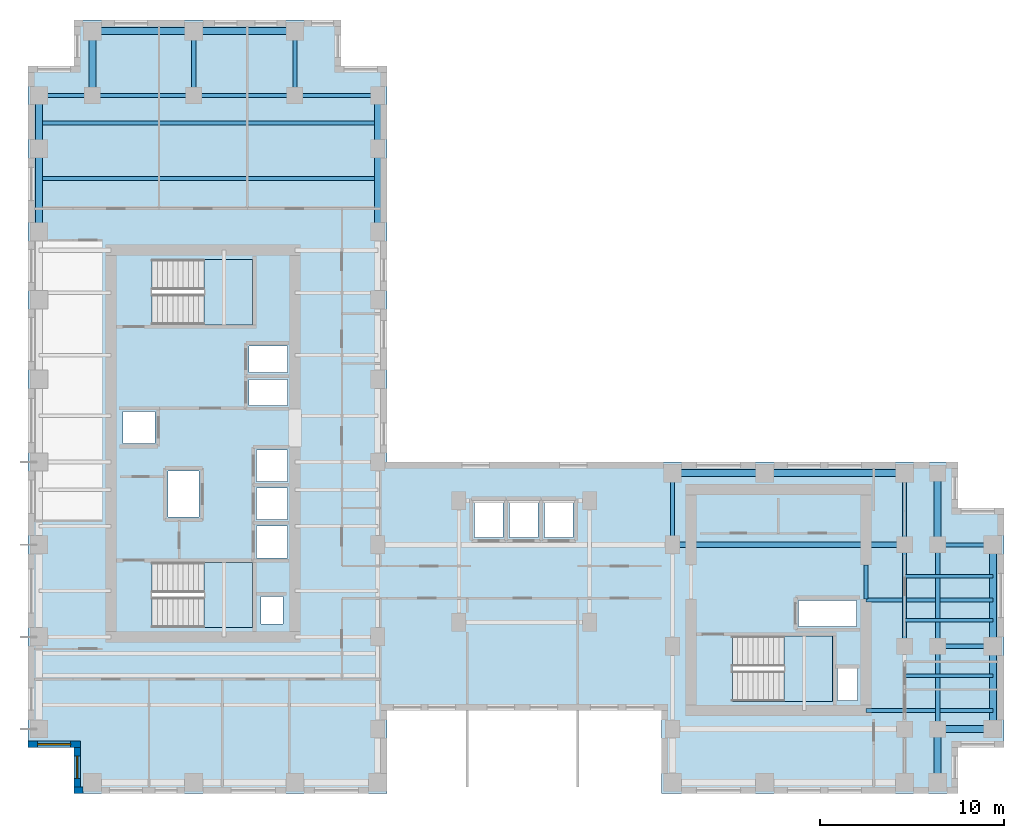
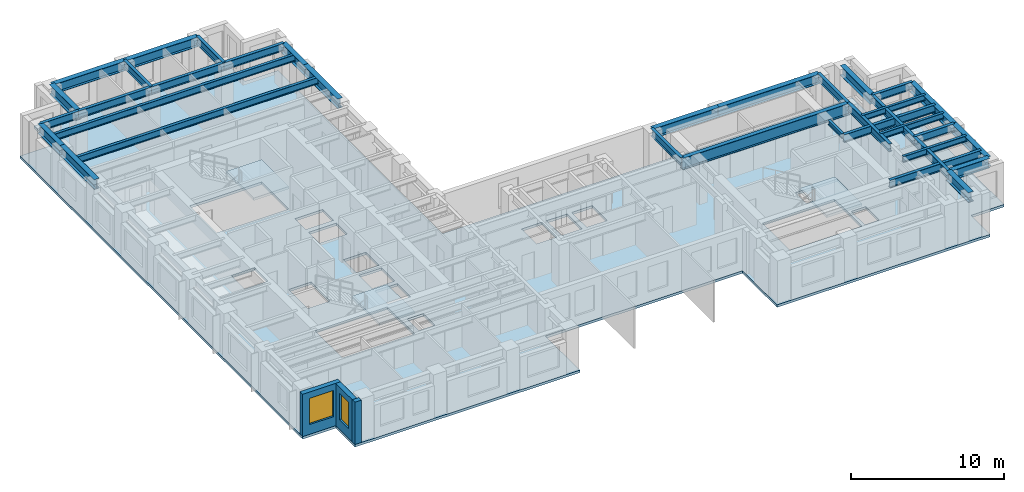
# One storey, part 2 of 11: 36 beams, 4 slabs, 3 walls, 2 windows, 2 openings, 3 elements without a shape of their own.
"""IFC4 building model written with IfcOpenShell, lengths in metres."""

from ifc_helpers import new_model, si_unit, direction, frame, frame_2d, origin, origin_2d, place, context, subcontext, project, spatial, polyline, rectangle, i_section, outline, extrude, source, transform, mapped, material, layer, layer_set, material_profile, profile_set, type_object, element, fill, aggregate, save


model = new_model("IFC4")

# Units and contexts
model_context = context("Model", 3, precision=1e-05, world=origin(), true_north=direction((0.0, 1.0)))
body_context = subcontext(model_context, "Body", "Model", "MODEL_VIEW")
ifc_project = project(units=[si_unit("LENGTHUNIT", "METRE"), si_unit("AREAUNIT", "SQUARE_METRE"), si_unit("VOLUMEUNIT", "CUBIC_METRE"), si_unit("PLANEANGLEUNIT", "RADIAN"), si_unit("MASSUNIT", "GRAM", prefix="KILO")], contexts=[model_context])

# Site, building, storey
site_placement = place(None, origin())
site = spatial("IfcSite", under=ifc_project, at=site_placement, CompositionType="ELEMENT")
building_placement = place(site_placement, origin())
building = spatial("IfcBuilding", under=site, at=building_placement, Name="Kharzan Plaza Tower", CompositionType="ELEMENT")
storey_placement = place(building_placement, frame((0.0, 0.0, 150.300048828125)))
storey = spatial("IfcBuildingStorey", under=building, at=storey_placement, Name="L40", CompositionType="ELEMENT", Elevation=150.300048828125)

# Beams
ifc_material_1 = material(Name="Steel S355", Category="steel")
ifc_material_profile_1 = material_profile(ifc_material_1, i_section(OverallWidth=0.205078125, OverallDepth=0.35400390625, WebThickness=0.009521484375, FlangeThickness=0.016845703125, at=origin_2d()), Name="W360x79")
ifc_profile_set_1 = profile_set([ifc_material_profile_1], Name="Steel S355")
beam_type_1 = type_object("IfcBeamType", Name="BM-LNT360", PredefinedType="LINTEL", material=ifc_profile_set_1)
shared_shape_1 = source(origin(), body_context, "Body", "SweptSolid", [
    extrude(i_section(OverallWidth=0.205078125, OverallDepth=0.35400390625, WebThickness=0.009521484375, FlangeThickness=0.016845703125, at=origin_2d()), origin(), (0.0, 0.0, 1.0), 1.849853515625),
])
beam_1_placement = place(storey_placement, frame((45.5, 10.550048828125, 3.222900390625), z_axis=(0.0, 1.0, 0.0), x_axis=(-1.0, 0.0, 0.0)))
element("IfcBeam", 1, at=beam_1_placement, inside=storey, type_object=beam_type_1, Name="L40 CORE-B coupling lintel LN1-WE", PredefinedType="LINTEL", context=body_context, shape_type="MappedRepresentation", body=[
    mapped(shared_shape_1, transform((0.0, 0.0, 0.0), x_axis=(1.0, 0.0, 0.0), y_axis=(0.0, 1.0, 0.0), z_axis=(0.0, 0.0, 1.0))),
])
ifc_material_profile_2 = material_profile(ifc_material_1, i_section(OverallWidth=0.304931640625, OverallDepth=0.9189453125, WebThickness=0.017333984375, FlangeThickness=0.02783203125, at=origin_2d()), Name="W920x253")
ifc_profile_set_2 = profile_set([ifc_material_profile_2], Name="Steel S355")
beam_type_2 = type_object("IfcBeamType", Name="BM-FG920B", PredefinedType="BEAM", material=ifc_profile_set_2)
shared_shape_2 = source(origin(), body_context, "Body", "SweptSolid", [
    extrude(i_section(OverallWidth=0.304931640625, OverallDepth=0.9189453125, WebThickness=0.017333984375, FlangeThickness=0.02783203125, at=origin_2d()), origin(), (0.0, 0.0, 1.0), 12.60009765625),
])
beam_2_placement = place(storey_placement, frame((35.0, 13.5, 2.9404296875), z_axis=(1.0, 0.0, 0.0), x_axis=(0.0, 1.0, 0.0)))
element("IfcBeam", 2, at=beam_2_placement, inside=storey, type_object=beam_type_2, Name="L40 Primary Floor Girder", PredefinedType="BEAM", context=body_context, shape_type="MappedRepresentation", body=[
    mapped(shared_shape_2, transform((0.0, 0.0, 0.0), x_axis=(1.0, 0.0, 0.0), y_axis=(0.0, 1.0, 0.0), z_axis=(0.0, 0.0, 1.0))),
])
ifc_material_profile_3 = material_profile(ifc_material_1, i_section(OverallWidth=0.2099609375, OverallDepth=0.537109375, WebThickness=0.010986328125, FlangeThickness=0.017333984375, at=origin_2d()), Name="W530x101")
ifc_profile_set_3 = profile_set([ifc_material_profile_3], Name="Steel S355")
beam_type_3 = type_object("IfcBeamType", Name="BM-JST530B", PredefinedType="JOIST", material=ifc_profile_set_3)
shared_shape_3 = source(origin(), body_context, "Body", "SweptSolid", [
    extrude(i_section(OverallWidth=0.2099609375, OverallDepth=0.537109375, WebThickness=0.010986328125, FlangeThickness=0.017333984375, at=origin_2d()), origin(), (0.0, 0.0, 1.0), 18.39990234375),
])
for number, where, z_axis, x_axis, name in (
    (3, (0.60009765625, 33.39990234375, 3.13134765625), (1.0, 0.0, 0.0), (0.0, 1.0, 0.0), "L40 Wing A Composite Joist 05"),
    (4, (0.60009765625, 36.39990234375, 3.13134765625), (1.0, 0.0, 0.0), (0.0, 1.0, 0.0), "L40 Wing A Composite Joist 06"),
):
    element("IfcBeam", number, at=place(storey_placement, frame(where, z_axis=z_axis, x_axis=x_axis)), inside=storey, type_object=beam_type_3, Name=name, PredefinedType="JOIST", context=body_context, shape_type="MappedRepresentation", body=[
        mapped(shared_shape_3, transform((0.0, 0.0, 0.0), x_axis=(1.0, 0.0, 0.0), y_axis=(0.0, 1.0, 0.0), z_axis=(0.0, 0.0, 1.0))),
    ])
ifc_material_profile_4 = material_profile(ifc_material_1, i_section(OverallWidth=0.22900390625, OverallDepth=0.612060546875, WebThickness=0.011962890625, FlangeThickness=0.01953125, at=origin_2d()), Name="W610x125")
ifc_profile_set_4 = profile_set([ifc_material_profile_4], Name="Steel S355")
beam_type_4 = type_object("IfcBeamType", Name="BM-FG610B", PredefinedType="BEAM", material=ifc_profile_set_4)
shared_shape_4 = source(origin(), body_context, "Body", "SweptSolid", [
    extrude(i_section(OverallWidth=0.22900390625, OverallDepth=0.612060546875, WebThickness=0.011962890625, FlangeThickness=0.01953125, at=origin_2d()), origin(), (0.0, 0.0, 1.0), 4.5),
])
for number, where, z_axis, x_axis, name in (
    (5, (49.39990234375, 3.5, 3.093994140625), (0.0, 1.0, 0.0), (-1.0, 0.0, 0.0), "L40 Interior Frame Girder"),
    (6, (14.5, 37.89990234375, 3.093994140625), (1.0, 0.0, 0.0), (0.0, 1.0, 0.0), "L40 Primary Floor Girder"),
):
    element("IfcBeam", number, at=place(storey_placement, frame(where, z_axis=z_axis, x_axis=x_axis)), inside=storey, type_object=beam_type_4, Name=name, PredefinedType="BEAM", context=body_context, shape_type="MappedRepresentation", body=[
        mapped(shared_shape_4, transform((0.0, 0.0, 0.0), x_axis=(1.0, 0.0, 0.0), y_axis=(0.0, 1.0, 0.0), z_axis=(0.0, 0.0, 1.0))),
    ])
shared_shape_5 = source(origin(), body_context, "Body", "SweptSolid", [
    extrude(i_section(OverallWidth=0.22900390625, OverallDepth=0.612060546875, WebThickness=0.011962890625, FlangeThickness=0.01953125, at=origin_2d()), origin(), (0.0, 0.0, 1.0), 3.89990234375),
])
for number, where, z_axis, x_axis, name in (
    (7, (35.0, 13.5, 3.093994140625), (0.0, 1.0, 0.0), (-1.0, 0.0, 0.0), "L40 Interior Frame Girder"),
    (8, (47.60009765625, 13.5, 3.093994140625), (0.0, 1.0, 0.0), (-1.0, 0.0, 0.0), "L40 Interior Frame Girder"),
):
    element("IfcBeam", number, at=place(storey_placement, frame(where, z_axis=z_axis, x_axis=x_axis)), inside=storey, type_object=beam_type_4, Name=name, PredefinedType="BEAM", context=body_context, shape_type="MappedRepresentation", body=[
        mapped(shared_shape_5, transform((0.0, 0.0, 0.0), x_axis=(1.0, 0.0, 0.0), y_axis=(0.0, 1.0, 0.0), z_axis=(0.0, 0.0, 1.0))),
    ])
shared_shape_6 = source(origin(), body_context, "Body", "SweptSolid", [
    extrude(i_section(OverallWidth=0.22900390625, OverallDepth=0.612060546875, WebThickness=0.011962890625, FlangeThickness=0.01953125, at=origin_2d()), origin(), (0.0, 0.0, 1.0), 6.89990234375),
])
for number, where, z_axis, x_axis, name in (
    (9, (45.5, 4.5, 3.093994140625), (1.0, 0.0, 0.0), (0.0, 1.0, 0.0), "L40 Core-B East Floor Girder 1"),
    (10, (45.5, 10.5, 3.093994140625), (1.0, 0.0, 0.0), (0.0, 1.0, 0.0), "L40 Core-B East Floor Girder 2"),
):
    element("IfcBeam", number, at=place(storey_placement, frame(where, z_axis=z_axis, x_axis=x_axis)), inside=storey, type_object=beam_type_4, Name=name, PredefinedType="BEAM", context=body_context, shape_type="MappedRepresentation", body=[
        mapped(shared_shape_6, transform((0.0, 0.0, 0.0), x_axis=(1.0, 0.0, 0.0), y_axis=(0.0, 1.0, 0.0), z_axis=(0.0, 0.0, 1.0))),
    ])
shared_shape_7 = source(origin(), body_context, "Body", "SweptSolid", [
    extrude(i_section(OverallWidth=0.22900390625, OverallDepth=0.612060546875, WebThickness=0.011962890625, FlangeThickness=0.01953125, at=origin_2d()), origin(), (0.0, 0.0, 1.0), 3.5),
])
for number, where, z_axis, x_axis, name in (
    (11, (9.0, 37.89990234375, 3.093994140625), (0.0, 1.0, 0.0), (-1.0, 0.0, 0.0), "L40 Interior Frame Girder"),
    (12, (14.5, 37.89990234375, 3.093994140625), (0.0, 1.0, 0.0), (-1.0, 0.0, 0.0), "L40 Interior Frame Girder"),
):
    element("IfcBeam", number, at=place(storey_placement, frame(where, z_axis=z_axis, x_axis=x_axis)), inside=storey, type_object=beam_type_4, Name=name, PredefinedType="BEAM", context=body_context, shape_type="MappedRepresentation", body=[
        mapped(shared_shape_7, transform((0.0, 0.0, 0.0), x_axis=(1.0, 0.0, 0.0), y_axis=(0.0, 1.0, 0.0), z_axis=(0.0, 0.0, 1.0))),
    ])
shared_shape_8 = source(origin(), body_context, "Body", "SweptSolid", [
    extrude(i_section(OverallWidth=0.22900390625, OverallDepth=0.612060546875, WebThickness=0.011962890625, FlangeThickness=0.01953125, at=origin_2d()), origin(), (0.0, 0.0, 1.0), 5.5),
])
for number, where, z_axis, x_axis, name in (
    (13, (47.60009765625, 8.0, 3.093994140625), (0.0, 1.0, 0.0), (-1.0, 0.0, 0.0), "L40 Interior Frame Girder"),
    (14, (49.39990234375, 8.0, 3.093994140625), (0.0, 1.0, 0.0), (-1.0, 0.0, 0.0), "L40 Interior Frame Girder"),
    (15, (3.5, 37.89990234375, 3.093994140625), (1.0, 0.0, 0.0), (0.0, 1.0, 0.0), "L40 Primary Floor Girder"),
    (16, (9.0, 37.89990234375, 3.093994140625), (1.0, 0.0, 0.0), (0.0, 1.0, 0.0), "L40 Primary Floor Girder"),
):
    element("IfcBeam", number, at=place(storey_placement, frame(where, z_axis=z_axis, x_axis=x_axis)), inside=storey, type_object=beam_type_4, Name=name, PredefinedType="BEAM", context=body_context, shape_type="MappedRepresentation", body=[
        mapped(shared_shape_8, transform((0.0, 0.0, 0.0), x_axis=(1.0, 0.0, 0.0), y_axis=(0.0, 1.0, 0.0), z_axis=(0.0, 0.0, 1.0))),
    ])
shared_shape_9 = source(origin(), body_context, "Body", "SweptSolid", [
    extrude(i_section(OverallWidth=0.22900390625, OverallDepth=0.612060546875, WebThickness=0.011962890625, FlangeThickness=0.01953125, at=origin_2d()), origin(), (0.0, 0.0, 1.0), 2.89990234375),
])
beam_3_placement = place(storey_placement, frame((0.60009765625, 37.89990234375, 3.093994140625), z_axis=(1.0, 0.0, 0.0), x_axis=(0.0, 1.0, 0.0)))
element("IfcBeam", 17, at=beam_3_placement, inside=storey, type_object=beam_type_4, Name="L40 Primary Floor Girder", PredefinedType="BEAM", context=body_context, shape_type="MappedRepresentation", body=[
    mapped(shared_shape_9, transform((0.0, 0.0, 0.0), x_axis=(1.0, 0.0, 0.0), y_axis=(0.0, 1.0, 0.0), z_axis=(0.0, 0.0, 1.0))),
])
shared_shape_10 = source(origin(), body_context, "Body", "SweptSolid", [
    extrude(i_section(OverallWidth=0.22900390625, OverallDepth=0.612060546875, WebThickness=0.011962890625, FlangeThickness=0.01953125, at=origin_2d()), origin(), (0.0, 0.0, 1.0), 3.0),
])
for number, where, z_axis, x_axis, name in (
    (18, (49.39990234375, 8.0, 3.093994140625), (1.0, 0.0, 0.0), (0.0, 1.0, 0.0), "L40 Primary Floor Girder"),
    (19, (49.39990234375, 13.5, 3.093994140625), (1.0, 0.0, 0.0), (0.0, 1.0, 0.0), "L40 Primary Floor Girder"),
):
    element("IfcBeam", number, at=place(storey_placement, frame(where, z_axis=z_axis, x_axis=x_axis)), inside=storey, type_object=beam_type_4, Name=name, PredefinedType="BEAM", context=body_context, shape_type="MappedRepresentation", body=[
        mapped(shared_shape_10, transform((0.0, 0.0, 0.0), x_axis=(1.0, 0.0, 0.0), y_axis=(0.0, 1.0, 0.0), z_axis=(0.0, 0.0, 1.0))),
    ])
ifc_material_profile_5 = material_profile(ifc_material_1, i_section(OverallWidth=0.194091796875, OverallDepth=0.468994140625, WebThickness=0.011474609375, FlangeThickness=0.0205078125, at=origin_2d()), Name="W460x106")
ifc_profile_set_5 = profile_set([ifc_material_profile_5], Name="Steel S355")
beam_type_5 = type_object("IfcBeamType", Name="BM-JST460", PredefinedType="JOIST", material=ifc_profile_set_5)
shared_shape_11 = source(origin(), body_context, "Body", "SweptSolid", [
    extrude(i_section(OverallWidth=0.194091796875, OverallDepth=0.468994140625, WebThickness=0.011474609375, FlangeThickness=0.0205078125, at=origin_2d()), origin(), (0.0, 0.0, 1.0), 4.7998046875),
])
for number, where, z_axis, x_axis, name in (
    (20, (47.60009765625, 6.39990234375, 3.16552734375), (1.0, 0.0, 0.0), (0.0, 1.0, 0.0), "L40 Wing B Composite Joist 02"),
    (21, (47.60009765625, 9.39990234375, 3.16552734375), (1.0, 0.0, 0.0), (0.0, 1.0, 0.0), "L40 Wing B Composite Joist 03"),
    (22, (47.60009765625, 11.800048828125, 3.16552734375), (1.0, 0.0, 0.0), (0.0, 1.0, 0.0), "L40 Wing B Composite Joist 04"),
):
    element("IfcBeam", number, at=place(storey_placement, frame(where, z_axis=z_axis, x_axis=x_axis)), inside=storey, type_object=beam_type_5, Name=name, PredefinedType="JOIST", context=body_context, shape_type="MappedRepresentation", body=[
        mapped(shared_shape_11, transform((0.0, 0.0, 0.0), x_axis=(1.0, 0.0, 0.0), y_axis=(0.0, 1.0, 0.0), z_axis=(0.0, 0.0, 1.0))),
    ])
ifc_material_profile_6 = material_profile(ifc_material_1, i_section(OverallWidth=0.381103515625, OverallDepth=0.77294921875, WebThickness=0.0166015625, FlangeThickness=0.027587890625, at=origin_2d()), Name="W760x257")
ifc_profile_set_6 = profile_set([ifc_material_profile_6], Name="Steel S355")
beam_type_6 = type_object("IfcBeamType", Name="BM-SP760A", PredefinedType="SPANDREL", material=ifc_profile_set_6)
shared_shape_12 = source(origin(), body_context, "Body", "SweptSolid", [
    extrude(i_section(OverallWidth=0.381103515625, OverallDepth=0.77294921875, WebThickness=0.0166015625, FlangeThickness=0.027587890625, at=origin_2d()), origin(), (0.0, 0.0, 1.0), 5.0),
])
beam_4_placement = place(storey_placement, frame((35.0, 17.39990234375, 3.013427734375), z_axis=(1.0, 0.0, 0.0), x_axis=(0.0, 1.0, 0.0)))
element("IfcBeam", 23, at=beam_4_placement, inside=storey, type_object=beam_type_6, Name="L40 Perimeter Tube Spandrel", PredefinedType="SPANDREL", context=body_context, shape_type="MappedRepresentation", body=[
    mapped(shared_shape_12, transform((0.0, 0.0, 0.0), x_axis=(1.0, 0.0, 0.0), y_axis=(0.0, 1.0, 0.0), z_axis=(0.0, 0.0, 1.0))),
])
shared_shape_13 = source(origin(), body_context, "Body", "SweptSolid", [
    extrude(i_section(OverallWidth=0.381103515625, OverallDepth=0.77294921875, WebThickness=0.0166015625, FlangeThickness=0.027587890625, at=origin_2d()), origin(), (0.0, 0.0, 1.0), 4.5),
])
for number, where, z_axis, x_axis, name in (
    (24, (0.60009765625, 30.5, 3.013427734375), (0.0, 1.0, 0.0), (-1.0, 0.0, 0.0), "L40 Perimeter Tube Spandrel"),
    (25, (19.0, 30.5, 3.013427734375), (0.0, 1.0, 0.0), (-1.0, 0.0, 0.0), "L40 Perimeter Tube Spandrel"),
    (26, (52.39990234375, 3.5, 3.013427734375), (0.0, 1.0, 0.0), (-1.0, 0.0, 0.0), "L40 Perimeter Tube Spandrel"),
):
    element("IfcBeam", number, at=place(storey_placement, frame(where, z_axis=z_axis, x_axis=x_axis)), inside=storey, type_object=beam_type_6, Name=name, PredefinedType="SPANDREL", context=body_context, shape_type="MappedRepresentation", body=[
        mapped(shared_shape_13, transform((0.0, 0.0, 0.0), x_axis=(1.0, 0.0, 0.0), y_axis=(0.0, 1.0, 0.0), z_axis=(0.0, 0.0, 1.0))),
    ])
shared_shape_14 = source(origin(), body_context, "Body", "SweptSolid", [
    extrude(i_section(OverallWidth=0.381103515625, OverallDepth=0.77294921875, WebThickness=0.0166015625, FlangeThickness=0.027587890625, at=origin_2d()), origin(), (0.0, 0.0, 1.0), 2.89990234375),
])
for number, where, z_axis, x_axis, name in (
    (27, (0.60009765625, 35.0, 3.013427734375), (0.0, 1.0, 0.0), (-1.0, 0.0, 0.0), "L40 Perimeter Tube Spandrel"),
    (28, (19.0, 35.0, 3.013427734375), (0.0, 1.0, 0.0), (-1.0, 0.0, 0.0), "L40 Perimeter Tube Spandrel"),
    (29, (49.39990234375, 0.60009765625, 3.013427734375), (0.0, 1.0, 0.0), (-1.0, 0.0, 0.0), "L40 Perimeter Tube Spandrel"),
):
    element("IfcBeam", number, at=place(storey_placement, frame(where, z_axis=z_axis, x_axis=x_axis)), inside=storey, type_object=beam_type_6, Name=name, PredefinedType="SPANDREL", context=body_context, shape_type="MappedRepresentation", body=[
        mapped(shared_shape_14, transform((0.0, 0.0, 0.0), x_axis=(1.0, 0.0, 0.0), y_axis=(0.0, 1.0, 0.0), z_axis=(0.0, 0.0, 1.0))),
    ])
shared_shape_15 = source(origin(), body_context, "Body", "SweptSolid", [
    extrude(i_section(OverallWidth=0.381103515625, OverallDepth=0.77294921875, WebThickness=0.0166015625, FlangeThickness=0.027587890625, at=origin_2d()), origin(), (0.0, 0.0, 1.0), 3.5),
])
beam_5_placement = place(storey_placement, frame((3.5, 37.89990234375, 3.013427734375), z_axis=(0.0, 1.0, 0.0), x_axis=(-1.0, 0.0, 0.0)))
element("IfcBeam", 30, at=beam_5_placement, inside=storey, type_object=beam_type_6, Name="L40 Perimeter Tube Spandrel", PredefinedType="SPANDREL", context=body_context, shape_type="MappedRepresentation", body=[
    mapped(shared_shape_15, transform((0.0, 0.0, 0.0), x_axis=(1.0, 0.0, 0.0), y_axis=(0.0, 1.0, 0.0), z_axis=(0.0, 0.0, 1.0))),
])
shared_shape_16 = source(origin(), body_context, "Body", "SweptSolid", [
    extrude(i_section(OverallWidth=0.381103515625, OverallDepth=0.77294921875, WebThickness=0.0166015625, FlangeThickness=0.027587890625, at=origin_2d()), origin(), (0.0, 0.0, 1.0), 3.89990234375),
])
beam_6_placement = place(storey_placement, frame((49.39990234375, 13.5, 3.013427734375), z_axis=(0.0, 1.0, 0.0), x_axis=(-1.0, 0.0, 0.0)))
element("IfcBeam", 31, at=beam_6_placement, inside=storey, type_object=beam_type_6, Name="L40 Perimeter Tube Spandrel", PredefinedType="SPANDREL", context=body_context, shape_type="MappedRepresentation", body=[
    mapped(shared_shape_16, transform((0.0, 0.0, 0.0), x_axis=(1.0, 0.0, 0.0), y_axis=(0.0, 1.0, 0.0), z_axis=(0.0, 0.0, 1.0))),
])
shared_shape_17 = source(origin(), body_context, "Body", "SweptSolid", [
    extrude(i_section(OverallWidth=0.381103515625, OverallDepth=0.77294921875, WebThickness=0.0166015625, FlangeThickness=0.027587890625, at=origin_2d()), origin(), (0.0, 0.0, 1.0), 5.5),
])
for number, where, z_axis, x_axis, name in (
    (32, (52.39990234375, 8.0, 3.013427734375), (0.0, 1.0, 0.0), (-1.0, 0.0, 0.0), "L40 Perimeter Tube Spandrel"),
    (33, (3.5, 41.39990234375, 3.013427734375), (1.0, 0.0, 0.0), (0.0, 1.0, 0.0), "L40 Perimeter Tube Spandrel"),
    (34, (9.0, 41.39990234375, 3.013427734375), (1.0, 0.0, 0.0), (0.0, 1.0, 0.0), "L40 Perimeter Tube Spandrel"),
):
    element("IfcBeam", number, at=place(storey_placement, frame(where, z_axis=z_axis, x_axis=x_axis)), inside=storey, type_object=beam_type_6, Name=name, PredefinedType="SPANDREL", context=body_context, shape_type="MappedRepresentation", body=[
        mapped(shared_shape_17, transform((0.0, 0.0, 0.0), x_axis=(1.0, 0.0, 0.0), y_axis=(0.0, 1.0, 0.0), z_axis=(0.0, 0.0, 1.0))),
    ])
shared_shape_18 = source(origin(), body_context, "Body", "SweptSolid", [
    extrude(i_section(OverallWidth=0.381103515625, OverallDepth=0.77294921875, WebThickness=0.0166015625, FlangeThickness=0.027587890625, at=origin_2d()), origin(), (0.0, 0.0, 1.0), 7.60009765625),
])
beam_7_placement = place(storey_placement, frame((40.0, 17.39990234375, 3.013427734375), z_axis=(1.0, 0.0, 0.0), x_axis=(0.0, 1.0, 0.0)))
element("IfcBeam", 35, at=beam_7_placement, inside=storey, type_object=beam_type_6, Name="L40 Perimeter Tube Spandrel", PredefinedType="SPANDREL", context=body_context, shape_type="MappedRepresentation", body=[
    mapped(shared_shape_18, transform((0.0, 0.0, 0.0), x_axis=(1.0, 0.0, 0.0), y_axis=(0.0, 1.0, 0.0), z_axis=(0.0, 0.0, 1.0))),
])
shared_shape_19 = source(origin(), body_context, "Body", "SweptSolid", [
    extrude(i_section(OverallWidth=0.381103515625, OverallDepth=0.77294921875, WebThickness=0.0166015625, FlangeThickness=0.027587890625, at=origin_2d()), origin(), (0.0, 0.0, 1.0), 3.0),
])
beam_8_placement = place(storey_placement, frame((49.39990234375, 3.5, 3.013427734375), z_axis=(1.0, 0.0, 0.0), x_axis=(0.0, 1.0, 0.0)))
element("IfcBeam", 36, at=beam_8_placement, inside=storey, type_object=beam_type_6, Name="L40 Perimeter Tube Spandrel", PredefinedType="SPANDREL", context=body_context, shape_type="MappedRepresentation", body=[
    mapped(shared_shape_19, transform((0.0, 0.0, 0.0), x_axis=(1.0, 0.0, 0.0), y_axis=(0.0, 1.0, 0.0), z_axis=(0.0, 0.0, 1.0))),
])

# Slab
ifc_material_2 = material(Name="Concrete C40/50", Category="concrete")
ifc_layer_1 = layer(ifc_material_2, 0.199951171875)
ifc_layer_set_1 = layer_set([ifc_layer_1], Name="Concrete C40/50")
slab_type_1 = type_object("IfcSlabType", Name="SL-FLOOR-200", PredefinedType="FLOOR", material=ifc_layer_set_1)
slab_1_placement = place(storey_placement, frame((0.0, 0.0, -0.199951171875)))
element("IfcSlab", 37, at=slab_1_placement, inside=storey, type_object=slab_type_1, Name="L40 Composite Structural Floor Slab 200 mm", PredefinedType="FLOOR", context=body_context, shape_type="SweptSolid", body=[
    extrude(outline(polyline([(34.39990234375, 18.0), (19.5, 18.0), (19.5, 39.5), (17.0, 39.5), (17.0, 42.0), (2.5, 42.0), (2.5, 39.5), (0.0, 39.5), (0.0, 2.5), (2.5, 2.5), (2.5, 0.0), (19.5, 0.0), (19.5, 4.5), (34.39990234375, 4.5), (34.39990234375, 0.0), (50.5, 0.0), (50.5, 2.5), (53.0, 2.5), (53.0, 15.5), (50.5, 15.5), (50.5, 18.0), (34.39990234375, 18.0)]), holes=[polyline([(12.199951171875, 9.0), (12.199951171875, 12.550048828125), (6.75, 12.550048828125), (6.75, 9.0), (12.199951171875, 9.0)]), polyline([(14.10009765625, 12.800048828125), (14.10009765625, 14.530029296875), (12.39990234375, 14.530029296875), (12.39990234375, 12.800048828125), (14.10009765625, 12.800048828125)]), polyline([(14.10009765625, 14.8701171875), (14.10009765625, 16.60009765625), (12.39990234375, 16.60009765625), (12.39990234375, 14.8701171875), (14.10009765625, 14.8701171875)]), polyline([(9.300048828125, 15.0), (9.300048828125, 17.5), (7.60009765625, 17.5), (7.60009765625, 15.0), (9.300048828125, 15.0)]), polyline([(6.89990234375, 19.010009765625), (6.89990234375, 20.72998046875), (5.14990234375, 20.72998046875), (5.14990234375, 19.010009765625), (6.89990234375, 19.010009765625)]), polyline([(14.10009765625, 21.070068359375), (14.10009765625, 22.489990234375), (12.0, 22.489990234375), (12.0, 21.070068359375), (14.10009765625, 21.070068359375)]), polyline([(14.10009765625, 22.8701171875), (14.10009765625, 24.2900390625), (12.0, 24.2900390625), (12.0, 22.8701171875), (14.10009765625, 22.8701171875)]), polyline([(12.199951171875, 25.449951171875), (12.199951171875, 29.0), (6.75, 29.0), (6.75, 25.449951171875), (12.199951171875, 25.449951171875)]), polyline([(45.050048828125, 5.050048828125), (45.050048828125, 6.800048828125), (43.949951171875, 6.800048828125), (43.949951171875, 5.050048828125), (45.050048828125, 5.050048828125)]), polyline([(43.699951171875, 5.0), (43.699951171875, 8.550048828125), (38.25, 8.550048828125), (38.25, 5.0), (43.699951171875, 5.0)]), polyline([(45.0, 9.070068359375), (45.0, 10.469970703125), (41.85009765625, 10.469970703125), (41.85009765625, 9.070068359375), (45.0, 9.070068359375)]), polyline([(13.85009765625, 9.199951171875), (13.85009765625, 10.699951171875), (12.64990234375, 10.699951171875), (12.64990234375, 9.199951171875), (13.85009765625, 9.199951171875)]), polyline([(25.800048828125, 13.89990234375), (25.800048828125, 15.85009765625), (24.25, 15.85009765625), (24.25, 13.89990234375), (25.800048828125, 13.89990234375)]), polyline([(27.699951171875, 13.89990234375), (27.699951171875, 15.85009765625), (26.14990234375, 15.85009765625), (26.14990234375, 13.89990234375), (27.699951171875, 13.89990234375)]), polyline([(29.60009765625, 13.89990234375), (29.60009765625, 15.85009765625), (28.050048828125, 15.85009765625), (28.050048828125, 13.89990234375), (29.60009765625, 13.89990234375)]), polyline([(14.10009765625, 16.93994140625), (14.10009765625, 18.64990234375), (12.39990234375, 18.64990234375), (12.39990234375, 16.93994140625), (14.10009765625, 16.93994140625)])]), origin(), (0.0, 0.0, 1.0), 0.199951171875),
])

# Stair, slab
stair_type_1 = type_object("IfcStairType", Name="STR-ST-1", PredefinedType="HALF_TURN_STAIR", material=ifc_material_2)
stair_1_placement = place(storey_placement, origin())
stair_1 = element("IfcStair", 38, at=stair_1_placement, inside=storey, type_object=stair_type_1, Name="L40 Protected Exit Stair ST-1", PredefinedType="HALF_TURN_STAIR")
ifc_layer_2 = layer(ifc_material_2, 0.219970703125)
ifc_layer_set_2 = layer_set([ifc_layer_2], Name="Concrete C40/50")
slab_type_2 = type_object("IfcSlabType", Name="SL-LANDING-220", PredefinedType="LANDING", material=ifc_layer_set_2)
slab_2_placement = place(storey_placement, frame((0.0, 0.0, 1.599853515625)))
slab_2 = element("IfcSlab", 39, at=slab_2_placement, type_object=slab_type_2, Name="ST-1 landing 1", PredefinedType="LANDING", context=body_context, shape_type="SweptSolid", body=[
    extrude(outline(polyline([(9.550048828125, 9.0), (12.199951171875, 9.0), (12.199951171875, 12.550048828125), (9.550048828125, 12.550048828125), (9.550048828125, 9.0)])), origin(), (0.0, 0.0, 1.0), 0.2001953125),
])
aggregate(stair_1, [slab_2])

stair_type_2 = type_object("IfcStairType", Name="STR-ST-2", PredefinedType="HALF_TURN_STAIR", material=ifc_material_2)
stair_2_placement = place(storey_placement, origin())
stair_2 = element("IfcStair", 40, at=stair_2_placement, inside=storey, type_object=stair_type_2, Name="L40 Protected Exit Stair ST-2", PredefinedType="HALF_TURN_STAIR")
slab_3_placement = place(storey_placement, frame((0.0, 0.0, 1.599853515625)))
slab_3 = element("IfcSlab", 41, at=slab_3_placement, type_object=slab_type_2, Name="ST-2 landing 1", PredefinedType="LANDING", context=body_context, shape_type="SweptSolid", body=[
    extrude(outline(polyline([(9.550048828125, 25.449951171875), (12.199951171875, 25.449951171875), (12.199951171875, 29.0), (9.550048828125, 29.0), (9.550048828125, 25.449951171875)])), origin(), (0.0, 0.0, 1.0), 0.2001953125),
])
aggregate(stair_2, [slab_3])

stair_type_3 = type_object("IfcStairType", Name="STR-ST-3", PredefinedType="HALF_TURN_STAIR", material=ifc_material_2)
stair_3_placement = place(storey_placement, origin())
stair_3 = element("IfcStair", 42, at=stair_3_placement, inside=storey, type_object=stair_type_3, Name="L40 Protected Exit Stair ST-3", PredefinedType="HALF_TURN_STAIR")
slab_4_placement = place(storey_placement, frame((0.0, 0.0, 1.599853515625)))
slab_4 = element("IfcSlab", 43, at=slab_4_placement, type_object=slab_type_2, Name="ST-3 landing 1", PredefinedType="LANDING", context=body_context, shape_type="SweptSolid", body=[
    extrude(outline(polyline([(41.050048828125, 5.0), (43.699951171875, 5.0), (43.699951171875, 8.550048828125), (41.050048828125, 8.550048828125), (41.050048828125, 5.0)])), origin(), (0.0, 0.0, 1.0), 0.2001953125),
])
aggregate(stair_3, [slab_4])

# Wall, opening, window
ifc_layer_3 = layer(ifc_material_2, 0.35009765625)
ifc_layer_set_3 = layer_set([ifc_layer_3], Name="Concrete C40/50")
wall_type = type_object("IfcWallType", Name="WL-EXT-MAS-Z3", PredefinedType="SOLIDWALL", material=ifc_layer_set_3)
wall_1_placement = place(storey_placement, frame((0.0, 2.675048828125, 0.0), z_axis=(0.0, 0.0, 1.0), x_axis=(1.0, 0.0, 0.0)))
wall_1 = element("IfcWall", 44, at=wall_1_placement, inside=storey, type_object=wall_type, Name="L40 Masonry-Frame Exterior Wall 18", PredefinedType="SOLIDWALL", context=body_context, shape_type="SweptSolid", body=[
    extrude(rectangle(XDim=2.85009765625, YDim=0.35009765625, at=frame_2d((1.425048828125, 0.0))), origin(), (0.0, 0.0, 1.0), 3.385009765625),
])
opening_1_placement = place(wall_1_placement, frame((0.52490234375, 0.0, 0.780029296875)))
opening_1 = element("IfcOpeningElement", 45, at=opening_1_placement, cuts=wall_1, Name="Opening W1", PredefinedType="OPENING", context=body_context, shape_type="SweptSolid", body=[
    extrude(rectangle(XDim=1.800048828125, YDim=2.10009765625, at=frame_2d((0.89990234375, 1.050048828125))), frame((0.0, 0.18505859375, 0.0), z_axis=(0.0, -1.0, 0.0), x_axis=(1.0, 0.0, 0.0)), (0.0, 0.0, 1.0), 0.3701171875),
])
ifc_material_3 = material(Name="Low-E Double Glazing", Category="glass")
window_type_1 = type_object("IfcWindowType", Name="WN-REC-1800x2100", PartitioningType="SINGLE_PANEL", PredefinedType="WINDOW", material=ifc_material_3)
shared_shape_20 = source(origin(), body_context, "Body", "SweptSolid", [
    extrude(rectangle(XDim=1.800048828125, YDim=2.10009765625, at=frame_2d((0.89990234375, 1.050048828125))), frame((0.0, 0.030029296875, 0.0), z_axis=(0.0, -1.0, 0.0), x_axis=(1.0, 0.0, 0.0)), (0.0, 0.0, 1.0), 0.06005859375),
])
window_1_placement = place(opening_1_placement, origin())
window_1 = element("IfcWindow", 46, at=window_1_placement, inside=storey, type_object=window_type_1, Name="L40 Recessed Solar-Control Window 18-1", OverallHeight=2.10009765625, OverallWidth=1.800048828125, PartitioningType="SINGLE_PANEL", PredefinedType="WINDOW", context=body_context, shape_type="MappedRepresentation", body=[
    mapped(shared_shape_20, transform((0.0, 0.0, 0.0), x_axis=(1.0, 0.0, 0.0), y_axis=(0.0, 1.0, 0.0), z_axis=(0.0, 0.0, 1.0))),
])
fill(opening_1, window_1)

wall_2_placement = place(storey_placement, frame((2.675048828125, 2.501953125, 0.0), z_axis=(0.0, 0.0, 1.0), x_axis=(0.0, -1.0, 0.0)))
wall_2 = element("IfcWall", 47, at=wall_2_placement, inside=storey, type_object=wall_type, Name="L40 Masonry-Frame Exterior Wall 19", PredefinedType="SOLIDWALL", context=body_context, shape_type="SweptSolid", body=[
    extrude(rectangle(XDim=2.154052734375, YDim=0.35009765625, at=frame_2d((1.0771484375, 0.0))), origin(), (0.0, 0.0, 1.0), 3.385009765625),
])
opening_2_placement = place(wall_2_placement, frame((0.47705078125, 0.0, 0.780029296875)))
opening_2 = element("IfcOpeningElement", 48, at=opening_2_placement, cuts=wall_2, Name="Opening W3", PredefinedType="OPENING", context=body_context, shape_type="SweptSolid", body=[
    extrude(rectangle(XDim=1.199951171875, YDim=2.10009765625, at=frame_2d((0.60009765625, 1.050048828125))), frame((0.0, 0.18505859375, 0.0), z_axis=(0.0, -1.0, 0.0), x_axis=(1.0, 0.0, 0.0)), (0.0, 0.0, 1.0), 0.3701171875),
])
window_type_2 = type_object("IfcWindowType", Name="WN-REC-1200x2100", PartitioningType="SINGLE_PANEL", PredefinedType="WINDOW", material=ifc_material_3)
shared_shape_21 = source(origin(), body_context, "Body", "SweptSolid", [
    extrude(rectangle(XDim=1.199951171875, YDim=2.10009765625, at=frame_2d((0.60009765625, 1.050048828125))), frame((0.0, 0.030029296875, 0.0), z_axis=(0.0, -1.0, 0.0), x_axis=(1.0, 0.0, 0.0)), (0.0, 0.0, 1.0), 0.06005859375),
])
window_2_placement = place(opening_2_placement, origin())
window_2 = element("IfcWindow", 49, at=window_2_placement, inside=storey, type_object=window_type_2, Name="L40 Recessed Solar-Control Window 19-1", OverallHeight=2.10009765625, OverallWidth=1.199951171875, PartitioningType="SINGLE_PANEL", PredefinedType="WINDOW", context=body_context, shape_type="MappedRepresentation", body=[
    mapped(shared_shape_21, transform((0.0, 0.0, 0.0), x_axis=(1.0, 0.0, 0.0), y_axis=(0.0, 1.0, 0.0), z_axis=(0.0, 0.0, 1.0))),
])
fill(opening_2, window_2)

# Wall
shared_shape_22 = source(origin(), body_context, "Body", "SweptSolid", [
    extrude(rectangle(XDim=0.501953125, YDim=0.35009765625, at=frame_2d((0.2509765625, 0.0))), origin(), (0.0, 0.0, 1.0), 3.385009765625),
])
wall_3_placement = place(storey_placement, frame((2.5, 0.175048828125, 0.0), z_axis=(0.0, 0.0, 1.0), x_axis=(1.0, 0.0, 0.0)))
element("IfcWall", 50, at=wall_3_placement, inside=storey, type_object=wall_type, Name="L40 Masonry-Frame Exterior Wall 20", PredefinedType="SOLIDWALL", context=body_context, shape_type="MappedRepresentation", body=[
    mapped(shared_shape_22, transform((0.0, 0.0, 0.0), x_axis=(1.0, 0.0, 0.0), y_axis=(0.0, 1.0, 0.0), z_axis=(0.0, 0.0, 1.0))),
])

save(model, "model.ifc")
